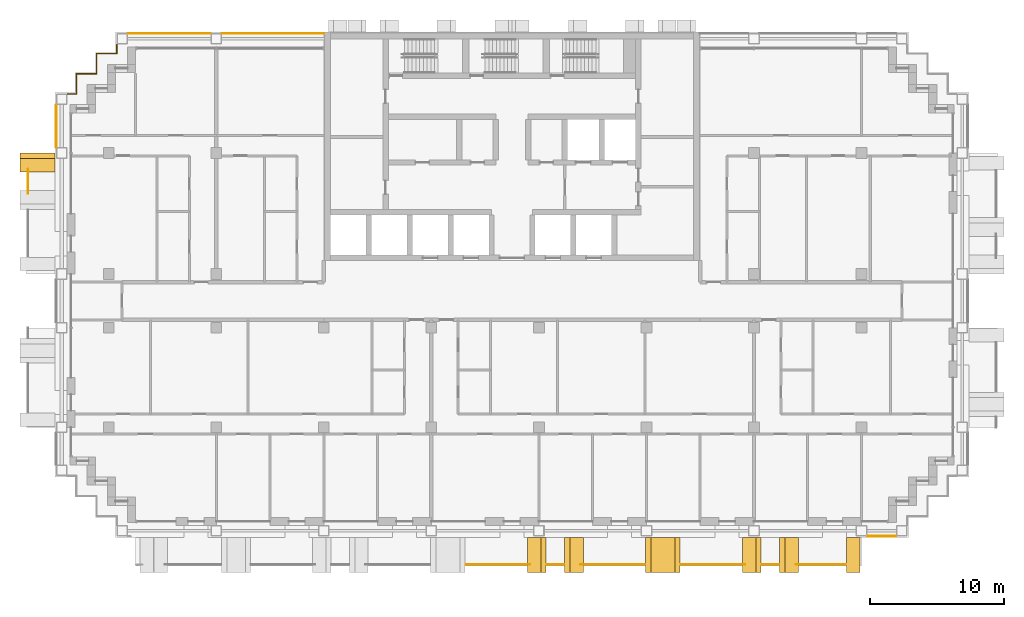
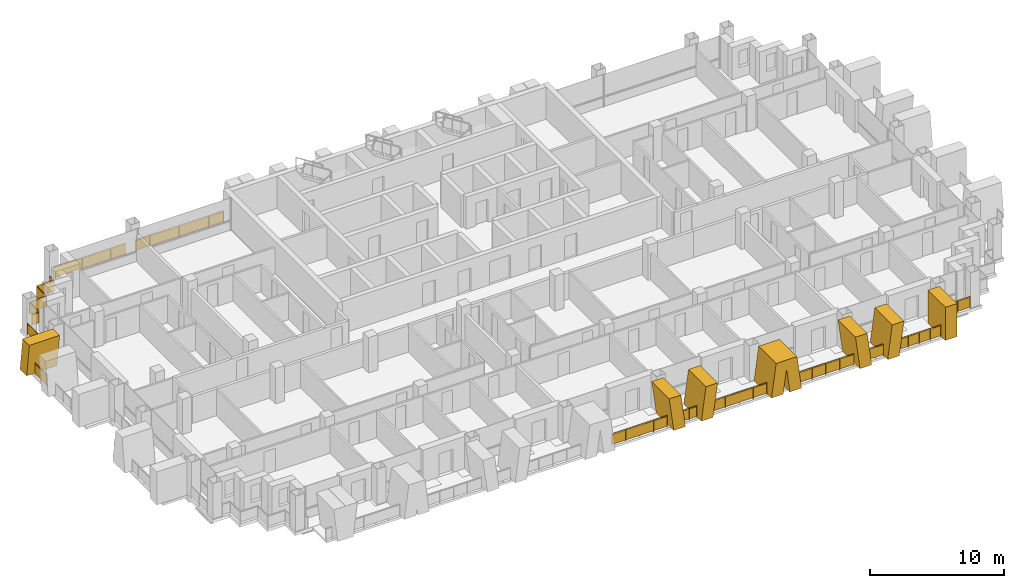
# One storey, part 14 of 16: 12 railings, 7 shading devices.
"""IFC4 building model written with IfcOpenShell, lengths in metres."""

import ifcopenshell
import ifcopenshell.guid

model = None  # the IFC model being written
_history = None  # IfcOwnerHistory: only IFC2X3 demands one
_inside = {}  # id of a spatial element -> (the spatial element, [elements in it])
_under = {}  # id of a project, library or spatial element -> (it, [spatial elements below it])
_declared = {}  # id of a project -> (the project, [libraries it declares])
_typed = {}  # id of a type object -> (the type object, [elements of that type])
_made_of = {}  # id of a material, layer set ... -> (it, [elements and type objects made of it])


def new_model(schema):
    """Start an empty IFC model of exactly this schema.

    Asked for "IFC4X3", IfcOpenShell would pick the latest addendum, in which some entities
    have other attributes; the version numbers below select the first issue.
    IFC2X3 requires an IfcOwnerHistory on every rooted entity: one is made here for all.
    """
    global model, _history
    if schema == "IFC4X3":
        model = ifcopenshell.file(schema_version=(4, 3, 0, 0))
    else:
        model = ifcopenshell.file(schema=schema)
    _inside.clear()
    _under.clear()
    _declared.clear()
    _typed.clear()
    _made_of.clear()
    _history = None
    if model.schema == "IFC2X3":
        org = make("IfcOrganization", Name="unknown")
        user = make(
            "IfcPersonAndOrganization",
            ThePerson=make("IfcPerson", FamilyName="unknown"),
            TheOrganization=org,
        )
        app = make(
            "IfcApplication",
            ApplicationDeveloper=org,
            Version="unknown",
            ApplicationFullName="unknown",
            ApplicationIdentifier="unknown",
        )
        _history = make(
            "IfcOwnerHistory",
            OwningUser=user,
            OwningApplication=app,
            ChangeAction="ADDED",
            CreationDate=0,
        )
    return model


def make(cls, **values):
    """One entity of the class cls with the attributes given. An attribute that is None is left unset."""
    return model.create_entity(
        cls, **{name: value for name, value in values.items() if value is not None}
    )


def rooted(cls, **values):
    """An entity with a GlobalId (a new one), such as an element, a storey or a relation."""
    return make(cls, GlobalId=ifcopenshell.guid.new(), OwnerHistory=_history, **values)


def si_unit(unit_type, name, prefix=None):
    """IfcSIUnit, for example si_unit("LENGTHUNIT", "METRE", prefix="MILLI")."""
    return make("IfcSIUnit", UnitType=unit_type, Prefix=prefix, Name=name)


def assignment(units):
    """IfcUnitAssignment: the units of a project."""
    return None if units is None else make("IfcUnitAssignment", Units=units)


def point(xyz):
    """IfcCartesianPoint."""
    return None if xyz is None else make("IfcCartesianPoint", Coordinates=xyz)


def direction(xyz):
    """IfcDirection."""
    return None if xyz is None else make("IfcDirection", DirectionRatios=xyz)


def frame(location, z_axis=None, x_axis=None):
    """IfcAxis2Placement3D, a coordinate frame: its origin and axes. An axis left out is left unset."""
    return make(
        "IfcAxis2Placement3D",
        Location=point(location),
        Axis=direction(z_axis),
        RefDirection=direction(x_axis),
    )


def frame_2d(location, x_axis=None):
    """IfcAxis2Placement2D, a coordinate frame in the plane: its origin and x axis."""
    return make(
        "IfcAxis2Placement2D", Location=point(location), RefDirection=direction(x_axis)
    )


def origin():
    """The frame at (0, 0, 0) with its axes left unset."""
    return frame((0.0, 0.0, 0.0))


def origin_2d():
    """The frame at (0, 0) in the plane with its x axis left unset."""
    return frame_2d((0.0, 0.0))


def place(relative_to, where):
    """IfcLocalPlacement: puts the frame where relative to a parent placement (None: the world)."""
    return make(
        "IfcLocalPlacement", PlacementRelTo=relative_to, RelativePlacement=where
    )


def context(
    kind, dimensions, precision=None, world=None, true_north=None, identifier=None
):
    """IfcGeometricRepresentationContext, for example the 3D "Model" context."""
    return make(
        "IfcGeometricRepresentationContext",
        ContextIdentifier=identifier,
        ContextType=kind,
        CoordinateSpaceDimension=dimensions,
        Precision=precision,
        WorldCoordinateSystem=world,
        TrueNorth=true_north,
    )


def subcontext(parent, identifier, kind, view, scale=None):
    """IfcGeometricRepresentationSubContext, for example "Body" below "Model"."""
    return make(
        "IfcGeometricRepresentationSubContext",
        ContextIdentifier=identifier,
        ContextType=kind,
        ParentContext=parent,
        TargetScale=scale,
        TargetView=view,
    )


def project(units=None, contexts=None):
    """IfcProject with its units and contexts."""
    return rooted(
        "IfcProject",
        Name="project",
        RepresentationContexts=contexts,
        UnitsInContext=assignment(units),
    )


def spatial(cls, under=None, at=None, **own):
    """A site, building, storey or space (cls), placed at a placement, below another one or the project."""
    s = rooted(cls, ObjectPlacement=at, **own)
    if under is not None:
        _under.setdefault(under.id(), (under, []))[1].append(s)
    return s


def polyline(points):
    """IfcPolyline through the points."""
    return make("IfcPolyline", Points=[point(p) for p in points])


def profile(cls, at=None, kind="AREA", **sizes):
    """A parametric profile (cls). Its sizes go by their IFC names, for example OverallWidth=200.0."""
    return make(cls, ProfileType=kind, Position=at, **sizes)


def rectangle(**sizes):
    """IfcRectangleProfileDef."""
    return profile("IfcRectangleProfileDef", **sizes)


def circle(**sizes):
    """IfcCircleProfileDef."""
    return profile("IfcCircleProfileDef", **sizes)


def outline(outer, holes=None, kind="AREA"):
    """IfcArbitraryClosedProfileDef: a profile drawn as a closed curve; with holes, ...WithVoids."""
    if holes is None:
        return make("IfcArbitraryClosedProfileDef", ProfileType=kind, OuterCurve=outer)
    return make(
        "IfcArbitraryProfileDefWithVoids",
        ProfileType=kind,
        OuterCurve=outer,
        InnerCurves=holes,
    )


def extrude(swept, where, along, depth):
    """IfcExtrudedAreaSolid: the profile swept, set in the frame where, extruded along a direction by depth."""
    return make(
        "IfcExtrudedAreaSolid",
        SweptArea=swept,
        Position=where,
        ExtrudedDirection=direction(along),
        Depth=depth,
    )


def shape(context_of_items, identifier, shape_type, items):
    """IfcShapeRepresentation: the items that make up one representation, for example the "Body"."""
    return make(
        "IfcShapeRepresentation",
        ContextOfItems=context_of_items,
        RepresentationIdentifier=identifier,
        RepresentationType=shape_type,
        Items=items,
    )


def material(Name=None, Category=None):
    """IfcMaterial."""
    return make("IfcMaterial", Name=Name, Category=Category)


def layer(
    of_material, thickness, ventilated=None, Name=None, Category=None, Priority=None
):
    """IfcMaterialLayer: one layer of a wall or slab, of a material (None: an air gap)."""
    return make(
        "IfcMaterialLayer",
        Material=of_material,
        LayerThickness=thickness,
        IsVentilated=ventilated,
        Name=Name,
        Category=Category,
        Priority=Priority,
    )


def layer_set(layers, Name=None):
    """IfcMaterialLayerSet."""
    return make("IfcMaterialLayerSet", MaterialLayers=layers, LayerSetName=Name)


def made_of(thing, what):
    """Note that an element or type object is made of a material, layer set ...; save() writes the relation."""
    if what is not None:
        _made_of.setdefault(what.id(), (what, []))[1].append(thing)
    return thing


def type_object(cls, material=None, **own):
    """A type object (cls), such as IfcWallType, which elements share."""
    return made_of(rooted(cls, **own), material)


def element(
    cls,
    number,
    at=None,
    inside=None,
    cuts=None,
    type_object=None,
    material=None,
    context=None,
    identifier="Body",
    shape_type=None,
    held_by="IfcProductDefinitionShape",
    body=None,
    shapes=None,
    **own,
):
    """One element of the class cls, such as IfcWall. Its Tag is "e" and its number.

    at: its placement. inside: the storey or other place that contains it. cuts: it is an
    opening in that element (IfcRelVoidsElement). A single representation is given by context,
    identifier, shape_type and body (its items); several are given by shapes. held_by: the class
    of the entity that holds the representations. save() writes the other relations.
    """
    e = rooted(cls, Tag="e%d" % number, ObjectPlacement=at, **own)
    if body is not None:
        shapes = [shape(context, identifier, shape_type, body)]
    if shapes is not None:
        e.Representation = make(held_by, Representations=shapes)
    if inside is not None:
        _inside.setdefault(inside.id(), (inside, []))[1].append(e)
    if cuts is not None:
        rooted(
            "IfcRelVoidsElement", RelatingBuildingElement=cuts, RelatedOpeningElement=e
        )
    if type_object is not None:
        _typed.setdefault(type_object.id(), (type_object, []))[1].append(e)
    return made_of(e, material)


def aggregate(whole, parts):
    """IfcRelAggregates: a whole, such as a stair, and the parts it consists of."""
    return rooted("IfcRelAggregates", RelatingObject=whole, RelatedObjects=parts)


def save(model, path):
    """Write the relations noted so far, then the file.

    IfcRelAggregates (storeys below a building ...), IfcRelContainedInSpatialStructure (elements
    in a storey), IfcRelDefinesByType, IfcRelAssociatesMaterial and IfcRelDeclares: one each for
    every whole, place, type object, material and project.
    """
    for whole, parts in _under.values():
        aggregate(whole, parts)
    for where, things in _inside.values():
        rooted(
            "IfcRelContainedInSpatialStructure",
            RelatedElements=things,
            RelatingStructure=where,
        )
    for kind, things in _typed.values():
        rooted("IfcRelDefinesByType", RelatedObjects=things, RelatingType=kind)
    for what, things in _made_of.values():
        rooted("IfcRelAssociatesMaterial", RelatedObjects=things, RelatingMaterial=what)
    for by, libraries in _declared.values():
        rooted("IfcRelDeclares", RelatingContext=by, RelatedDefinitions=libraries)
    model.write(path)


model = new_model("IFC4")

# Units and contexts
model_context = context("Model", 3, precision=1e-05, world=origin(), true_north=direction((0.0, 1.0)))
body_context = subcontext(model_context, "Body", "Model", "MODEL_VIEW")
ifc_project = project(units=[si_unit("LENGTHUNIT", "METRE"), si_unit("AREAUNIT", "SQUARE_METRE"), si_unit("VOLUMEUNIT", "CUBIC_METRE"), si_unit("PLANEANGLEUNIT", "RADIAN"), si_unit("MASSUNIT", "GRAM", prefix="KILO")], contexts=[model_context])

# Site, building, storey
site_placement = place(None, origin())
site = spatial("IfcSite", under=ifc_project, at=site_placement, CompositionType="ELEMENT")
building_placement = place(site_placement, origin())
building = spatial("IfcBuilding", under=site, at=building_placement, Name="Vidyagriha Tower", CompositionType="ELEMENT")
storey_placement = place(building_placement, frame((0.0, 0.0, 145.39990234375)))
storey = spatial("IfcBuildingStorey", under=building, at=storey_placement, Name="L38", CompositionType="ELEMENT", Elevation=145.39990234375)

# Railings
ifc_material_1 = material(Name="Steel ASTM A500 Grade C black painted", Category="steel")
railing_type_1 = type_object("IfcRailingType", Name="Balcony guard 1100", PredefinedType="BALUSTRADE", material=ifc_material_1)
railing_1_placement = place(storey_placement, frame((-36.0, 9.796630859375, 0.0)))
element("IfcRailing", 1, at=railing_1_placement, inside=storey, type_object=railing_type_1, Name="Balcony guard L38 R16.1-1", PredefinedType="BALUSTRADE", context=body_context, shape_type="SweptSolid", body=[
    extrude(circle(Radius=0.02490234375, at=origin_2d()), frame((0.0, 0.0, 1.0751953125), z_axis=(0.0, -1.0, 0.0), x_axis=(1.0, 0.0, 0.0)), (0.0, 0.0, 1.0), 1.793212890625),
    extrude(circle(Radius=0.02001953125, at=origin_2d()), origin(), (0.0, 0.0, 1.0), 1.050048828125),
    extrude(circle(Radius=0.02001953125, at=origin_2d()), frame((0.0, -0.896484375, 0.0)), (0.0, 0.0, 1.0), 1.050048828125),
    extrude(circle(Radius=0.02001953125, at=origin_2d()), frame((0.0, -1.793212890625, 0.0)), (0.0, 0.0, 1.0), 1.050048828125),
    extrude(rectangle(XDim=0.010009765625, YDim=0.900146484375, at=origin_2d()), frame((0.0, 0.0, 0.550048828125), z_axis=(0.0, -1.0, 0.0), x_axis=(1.0, 0.0, 0.0)), (0.0, 0.0, 1.0), 1.793212890625),
])
railing_2_placement = place(storey_placement, frame((-3.43505859375, -19.60009765625, 0.0)))
element("IfcRailing", 2, at=railing_2_placement, inside=storey, type_object=railing_type_1, Name="Balcony guard L38 R23.1-6", PredefinedType="BALUSTRADE", context=body_context, shape_type="SweptSolid", body=[
    extrude(circle(Radius=0.02490234375, at=origin_2d()), frame((0.0, 0.0, 1.0751953125), z_axis=(1.0, 0.0, 0.0), x_axis=(0.0, 1.0, 0.0)), (0.0, 0.0, 1.0), 4.773681640625),
    extrude(circle(Radius=0.02001953125, at=origin_2d()), origin(), (0.0, 0.0, 1.0), 1.050048828125),
    extrude(circle(Radius=0.02001953125, at=origin_2d()), frame((1.193359375, 0.0, 0.0)), (0.0, 0.0, 1.0), 1.050048828125),
    extrude(circle(Radius=0.02001953125, at=origin_2d()), frame((2.38671875, 0.0, 0.0)), (0.0, 0.0, 1.0), 1.050048828125),
    extrude(circle(Radius=0.02001953125, at=origin_2d()), frame((3.580322265625, 0.0, 0.0)), (0.0, 0.0, 1.0), 1.050048828125),
    extrude(circle(Radius=0.02001953125, at=origin_2d()), frame((4.773681640625, 0.0, 0.0)), (0.0, 0.0, 1.0), 1.050048828125),
    extrude(rectangle(XDim=0.010009765625, YDim=0.900146484375, at=origin_2d()), frame((0.0, 0.0, 0.550048828125), z_axis=(1.0, 0.0, 0.0), x_axis=(0.0, 1.0, 0.0)), (0.0, 0.0, 1.0), 4.773681640625),
])
railing_3_placement = place(storey_placement, frame((2.590087890625, -19.60009765625, 0.0)))
element("IfcRailing", 3, at=railing_3_placement, inside=storey, type_object=railing_type_1, Name="Balcony guard L38 R23.1-7", PredefinedType="BALUSTRADE", context=body_context, shape_type="SweptSolid", body=[
    extrude(circle(Radius=0.02490234375, at=origin_2d()), frame((0.0, 0.0, 1.0751953125), z_axis=(1.0, 0.0, 0.0), x_axis=(0.0, 1.0, 0.0)), (0.0, 0.0, 1.0), 1.27001953125),
    extrude(circle(Radius=0.02001953125, at=origin_2d()), origin(), (0.0, 0.0, 1.0), 1.050048828125),
    extrude(circle(Radius=0.02001953125, at=origin_2d()), frame((0.635009765625, 0.0, 0.0)), (0.0, 0.0, 1.0), 1.050048828125),
    extrude(circle(Radius=0.02001953125, at=origin_2d()), frame((1.27001953125, 0.0, 0.0)), (0.0, 0.0, 1.0), 1.050048828125),
    extrude(rectangle(XDim=0.010009765625, YDim=0.900146484375, at=origin_2d()), frame((0.0, 0.0, 0.550048828125), z_axis=(1.0, 0.0, 0.0), x_axis=(0.0, 1.0, 0.0)), (0.0, 0.0, 1.0), 1.27001953125),
])
for number, where, name in (
    (4, (5.111328125, -19.60009765625, 0.0), "Balcony guard L38 R23.1-8"),
    (5, (12.56494140625, -19.60009765625, 0.0), "Balcony guard L38 R23.1-9"),
):
    element("IfcRailing", number, at=place(storey_placement, frame(where)), inside=storey, type_object=railing_type_1, Name=name, PredefinedType="BALUSTRADE", context=body_context, shape_type="SweptSolid", body=[
        extrude(circle(Radius=0.02490234375, at=origin_2d()), frame((0.0, 0.0, 1.0751953125), z_axis=(1.0, 0.0, 0.0), x_axis=(0.0, 1.0, 0.0)), (0.0, 0.0, 1.0), 4.773681640625),
        extrude(circle(Radius=0.02001953125, at=origin_2d()), origin(), (0.0, 0.0, 1.0), 1.050048828125),
        extrude(circle(Radius=0.02001953125, at=origin_2d()), frame((1.193359375, 0.0, 0.0)), (0.0, 0.0, 1.0), 1.050048828125),
        extrude(circle(Radius=0.02001953125, at=origin_2d()), frame((2.38671875, 0.0, 0.0)), (0.0, 0.0, 1.0), 1.050048828125),
        extrude(circle(Radius=0.02001953125, at=origin_2d()), frame((3.580322265625, 0.0, 0.0)), (0.0, 0.0, 1.0), 1.050048828125),
        extrude(circle(Radius=0.02001953125, at=origin_2d()), frame((4.773681640625, 0.0, 0.0)), (0.0, 0.0, 1.0), 1.050048828125),
        extrude(rectangle(XDim=0.010009765625, YDim=0.900146484375, at=origin_2d()), frame((0.0, 0.0, 0.550048828125), z_axis=(1.0, 0.0, 0.0), x_axis=(0.0, 1.0, 0.0)), (0.0, 0.0, 1.0), 4.773681640625),
    ])
railing_4_placement = place(storey_placement, frame((18.590087890625, -19.60009765625, 0.0)))
element("IfcRailing", 6, at=railing_4_placement, inside=storey, type_object=railing_type_1, Name="Balcony guard L38 R23.1-10", PredefinedType="BALUSTRADE", context=body_context, shape_type="SweptSolid", body=[
    extrude(circle(Radius=0.02490234375, at=origin_2d()), frame((0.0, 0.0, 1.0751953125), z_axis=(1.0, 0.0, 0.0), x_axis=(0.0, 1.0, 0.0)), (0.0, 0.0, 1.0), 1.27001953125),
    extrude(circle(Radius=0.02001953125, at=origin_2d()), origin(), (0.0, 0.0, 1.0), 1.050048828125),
    extrude(circle(Radius=0.02001953125, at=origin_2d()), frame((0.635009765625, 0.0, 0.0)), (0.0, 0.0, 1.0), 1.050048828125),
    extrude(circle(Radius=0.02001953125, at=origin_2d()), frame((1.27001953125, 0.0, 0.0)), (0.0, 0.0, 1.0), 1.050048828125),
    extrude(rectangle(XDim=0.010009765625, YDim=0.900146484375, at=origin_2d()), frame((0.0, 0.0, 0.550048828125), z_axis=(1.0, 0.0, 0.0), x_axis=(0.0, 1.0, 0.0)), (0.0, 0.0, 1.0), 1.27001953125),
])
railing_5_placement = place(storey_placement, frame((21.111328125, -19.60009765625, 0.0)))
element("IfcRailing", 7, at=railing_5_placement, inside=storey, type_object=railing_type_1, Name="Balcony guard L38 R23.1-11", PredefinedType="BALUSTRADE", context=body_context, shape_type="SweptSolid", body=[
    extrude(circle(Radius=0.02490234375, at=origin_2d()), frame((0.0, 0.0, 1.0751953125), z_axis=(1.0, 0.0, 0.0), x_axis=(0.0, 1.0, 0.0)), (0.0, 0.0, 1.0), 3.713623046875),
    extrude(circle(Radius=0.02001953125, at=origin_2d()), origin(), (0.0, 0.0, 1.0), 1.050048828125),
    extrude(circle(Radius=0.02001953125, at=origin_2d()), frame((0.928466796875, 0.0, 0.0)), (0.0, 0.0, 1.0), 1.050048828125),
    extrude(circle(Radius=0.02001953125, at=origin_2d()), frame((1.85693359375, 0.0, 0.0)), (0.0, 0.0, 1.0), 1.050048828125),
    extrude(circle(Radius=0.02001953125, at=origin_2d()), frame((2.78515625, 0.0, 0.0)), (0.0, 0.0, 1.0), 1.050048828125),
    extrude(circle(Radius=0.02001953125, at=origin_2d()), frame((3.713623046875, 0.0, 0.0)), (0.0, 0.0, 1.0), 1.050048828125),
    extrude(rectangle(XDim=0.010009765625, YDim=0.900146484375, at=origin_2d()), frame((0.0, 0.0, 0.550048828125), z_axis=(1.0, 0.0, 0.0), x_axis=(0.0, 1.0, 0.0)), (0.0, 0.0, 1.0), 3.713623046875),
])

# Shading devices
ifc_material_2 = material(Name="Precast concrete C40/50 with buff brick facing", Category="concrete")
ifc_layer_1 = layer(ifc_material_2, 1.0)
ifc_layer_set_1 = layer_set([ifc_layer_1], Name="Precast concrete C40/50 with buff brick facing")
shading_device_type_1 = type_object("IfcShadingDeviceType", Name="Brick-faced blade fin arm leaning 8 degrees", PredefinedType="USERDEFINED", material=ifc_layer_set_1)
shading_device_1_placement = place(storey_placement, frame((-35.300048828125, 11.0, 0.0), z_axis=(0.0, 0.0, 1.0), x_axis=(0.0, -1.0, 0.0)))
element("IfcShadingDevice", 8, at=shading_device_1_placement, inside=storey, type_object=shading_device_type_1, Name="Leaning blade fin L38 R16.300b", ObjectType="BLADE FIN", PredefinedType="USERDEFINED", context=body_context, shape_type="SweptSolid", body=[
    extrude(outline(polyline([(0.0, 0.0), (1.0, 0.0), (1.39990234375, 3.0), (0.39990234375, 3.0), (0.0, 0.0)])), frame((0.0, 1.300048828125, 0.0), z_axis=(0.0, -1.0, 0.0), x_axis=(1.0, 0.0, 0.0)), (0.0, 0.0, 1.0), 2.60009765625),
])
shading_device_2_placement = place(storey_placement, frame((3.909912109375, -18.89990234375, 0.0)))
element("IfcShadingDevice", 9, at=shading_device_2_placement, inside=storey, type_object=shading_device_type_1, Name="Leaning blade fin L38 R23.3000a", ObjectType="BLADE FIN", PredefinedType="USERDEFINED", context=body_context, shape_type="SweptSolid", body=[
    extrude(outline(polyline([(0.0, 0.0), (1.0, 0.0), (1.39501953125, 3.0), (0.39501953125, 3.0), (0.0, 0.0)])), frame((0.0, 1.300048828125, 0.0), z_axis=(0.0, -1.0, 0.0), x_axis=(1.0, 0.0, 0.0)), (0.0, 0.0, 1.0), 2.60009765625),
])
shading_device_3_placement = place(storey_placement, frame((1.14501953125, -18.89990234375, 0.0)))
element("IfcShadingDevice", 10, at=shading_device_3_placement, inside=storey, type_object=shading_device_type_1, Name="Leaning blade fin L38 R23.3000b", ObjectType="BLADE FIN", PredefinedType="USERDEFINED", context=body_context, shape_type="SweptSolid", body=[
    extrude(outline(polyline([(0.39501953125, 0.0), (1.39501953125, 0.0), (1.0, 3.0), (0.0, 3.0), (0.39501953125, 0.0)])), frame((0.0, 1.300048828125, 0.0), z_axis=(0.0, -1.0, 0.0), x_axis=(1.0, 0.0, 0.0)), (0.0, 0.0, 1.0), 2.60009765625),
])
shading_device_4_placement = place(storey_placement, frame((19.909912109375, -18.89990234375, 0.0)))
element("IfcShadingDevice", 11, at=shading_device_4_placement, inside=storey, type_object=shading_device_type_1, Name="Leaning blade fin L38 R23.4600a", ObjectType="BLADE FIN", PredefinedType="USERDEFINED", context=body_context, shape_type="SweptSolid", body=[
    extrude(outline(polyline([(0.0, 0.0), (1.0, 0.0), (1.39501953125, 3.0), (0.39501953125, 3.0), (0.0, 0.0)])), frame((0.0, 1.300048828125, 0.0), z_axis=(0.0, -1.0, 0.0), x_axis=(1.0, 0.0, 0.0)), (0.0, 0.0, 1.0), 2.60009765625),
])
shading_device_5_placement = place(storey_placement, frame((17.14501953125, -18.89990234375, 0.0)))
element("IfcShadingDevice", 12, at=shading_device_5_placement, inside=storey, type_object=shading_device_type_1, Name="Leaning blade fin L38 R23.4600b", ObjectType="BLADE FIN", PredefinedType="USERDEFINED", context=body_context, shape_type="SweptSolid", body=[
    extrude(outline(polyline([(0.39501953125, 0.0), (1.39501953125, 0.0), (1.0, 3.0), (0.0, 3.0), (0.39501953125, 0.0)])), frame((0.0, 1.300048828125, 0.0), z_axis=(0.0, -1.0, 0.0), x_axis=(1.0, 0.0, 0.0)), (0.0, 0.0, 1.0), 2.60009765625),
])
ifc_material_3 = material(Name="Precast concrete C40/50 with buff brick facing", Category="concrete")
ifc_layer_2 = layer(ifc_material_3, 1.0)
ifc_layer_set_2 = layer_set([ifc_layer_2], Name="Precast concrete C40/50 with buff brick facing")
shading_device_type_2 = type_object("IfcShadingDeviceType", Name="Brick-faced blade fin forking 8 degrees", PredefinedType="USERDEFINED", material=ifc_layer_set_2)
shading_device_6_placement = place(storey_placement, frame((9.93505859375, -18.89990234375, 0.0)))
element("IfcShadingDevice", 13, at=shading_device_6_placement, inside=storey, type_object=shading_device_type_2, Name="Forked blade fin L38 R23.3800a", ObjectType="BLADE FIN", PredefinedType="USERDEFINED", context=body_context, shape_type="SweptSolid", body=[
    extrude(outline(polyline([(1.0, 0.0), (1.2900390625, 2.20263671875), (1.580078125, 0.0), (2.580078125, 0.0), (2.18505859375, 3.0), (0.39501953125, 3.0), (0.0, 0.0), (1.0, 0.0)])), frame((0.0, 1.300048828125, 0.0), z_axis=(0.0, -1.0, 0.0), x_axis=(1.0, 0.0, 0.0)), (0.0, 0.0, 1.0), 2.60009765625),
])
ifc_material_4 = material(Name="Precast concrete C40/50 with buff brick facing", Category="concrete")
ifc_layer_3 = layer(ifc_material_4, 1.0)
ifc_layer_set_3 = layer_set([ifc_layer_3], Name="Precast concrete C40/50 with buff brick facing")
shading_device_type_3 = type_object("IfcShadingDeviceType", Name="Brick-faced blade fin stem 1000", PredefinedType="USERDEFINED", material=ifc_layer_set_3)
shading_device_7_placement = place(storey_placement, frame((24.875, -18.89990234375, 0.0)))
element("IfcShadingDevice", 14, at=shading_device_7_placement, inside=storey, type_object=shading_device_type_3, Name="Stem blade fin L38 R23.5400a", ObjectType="BLADE FIN", PredefinedType="USERDEFINED", context=body_context, shape_type="SweptSolid", body=[
    extrude(outline(polyline([(0.0, 0.0), (1.0, 0.0), (1.0, 3.0), (0.0, 3.0), (0.0, 0.0)])), frame((0.0, 1.300048828125, 0.0), z_axis=(0.0, -1.0, 0.0), x_axis=(1.0, 0.0, 0.0)), (0.0, 0.0, 1.0), 2.60009765625),
])

# Railings
ifc_material_5 = material(Name="Steel ASTM A500 Grade C black painted", Category="steel")
railing_type_2 = type_object("IfcRailingType", Name="Gallery guard 1100", PredefinedType="GUARDRAIL", material=ifc_material_5)
railing_6_placement = place(storey_placement, frame((-33.89990234375, 11.429931640625, 0.0)))
element("IfcRailing", 15, at=railing_6_placement, inside=storey, type_object=railing_type_2, Name="Gallery guard L38 3", PredefinedType="GUARDRAIL", context=body_context, shape_type="SweptSolid", body=[
    extrude(circle(Radius=0.02490234375, at=origin_2d()), frame((0.0, 0.0, 1.0751953125), z_axis=(0.0, 1.0, 0.0), x_axis=(-1.0, 0.0, 0.0)), (0.0, 0.0, 1.0), 3.14013671875),
    extrude(circle(Radius=0.02001953125, at=origin_2d()), origin(), (0.0, 0.0, 1.0), 1.050048828125),
    extrude(circle(Radius=0.02001953125, at=origin_2d()), frame((0.0, 1.046630859375, 0.0)), (0.0, 0.0, 1.0), 1.050048828125),
    extrude(circle(Radius=0.02001953125, at=origin_2d()), frame((0.0, 2.093505859375, 0.0)), (0.0, 0.0, 1.0), 1.050048828125),
    extrude(circle(Radius=0.02001953125, at=origin_2d()), frame((0.0, 3.14013671875, 0.0)), (0.0, 0.0, 1.0), 1.050048828125),
    extrude(rectangle(XDim=0.010009765625, YDim=0.900146484375, at=origin_2d()), frame((0.0, 0.0, 0.550048828125), z_axis=(0.0, 1.0, 0.0), x_axis=(-1.0, 0.0, 0.0)), (0.0, 0.0, 1.0), 3.14013671875),
])
railing_7_placement = place(storey_placement, frame((-33.070068359375, 15.39990234375, 0.0)))
element("IfcRailing", 16, at=railing_7_placement, inside=storey, type_object=railing_type_2, Name="Gallery guard L38 5", PredefinedType="GUARDRAIL", context=body_context, shape_type="SweptSolid", body=[
    extrude(circle(Radius=0.02490234375, at=origin_2d()), frame((0.0, 0.0, 1.0751953125), z_axis=(1.0, 0.0, 0.0), x_axis=(0.0, 1.0, 0.0)), (0.0, 0.0, 1.0), 0.670166015625),
    extrude(circle(Radius=0.02490234375, at=origin_2d()), frame((0.670166015625, 0.0, 1.0751953125), z_axis=(0.0, 1.0, 0.0), x_axis=(-1.0, 0.0, 0.0)), (0.0, 0.0, 1.0), 1.5),
    extrude(circle(Radius=0.02490234375, at=origin_2d()), frame((0.670166015625, 1.5, 1.0751953125), z_axis=(1.0, 0.0, 0.0), x_axis=(0.0, 1.0, 0.0)), (0.0, 0.0, 1.0), 1.5),
    extrude(circle(Radius=0.02490234375, at=origin_2d()), frame((2.170166015625, 1.5, 1.0751953125), z_axis=(0.0, 1.0, 0.0), x_axis=(-1.0, 0.0, 0.0)), (0.0, 0.0, 1.0), 1.5),
    extrude(circle(Radius=0.02490234375, at=origin_2d()), frame((2.170166015625, 3.0, 1.0751953125), z_axis=(1.0, 0.0, 0.0), x_axis=(0.0, 1.0, 0.0)), (0.0, 0.0, 1.0), 1.5),
    extrude(circle(Radius=0.02490234375, at=origin_2d()), frame((3.670166015625, 3.0, 1.0751953125), z_axis=(0.0, 1.0, 0.0), x_axis=(-1.0, 0.0, 0.0)), (0.0, 0.0, 1.0), 0.670166015625),
    extrude(circle(Radius=0.02001953125, at=origin_2d()), origin(), (0.0, 0.0, 1.0), 1.050048828125),
    extrude(circle(Radius=0.02001953125, at=origin_2d()), frame((0.670166015625, 0.0, 0.0)), (0.0, 0.0, 1.0), 1.050048828125),
    extrude(circle(Radius=0.02001953125, at=origin_2d()), frame((0.670166015625, 1.5, 0.0)), (0.0, 0.0, 1.0), 1.050048828125),
    extrude(circle(Radius=0.02001953125, at=origin_2d()), frame((2.170166015625, 1.5, 0.0)), (0.0, 0.0, 1.0), 1.050048828125),
    extrude(circle(Radius=0.02001953125, at=origin_2d()), frame((2.170166015625, 3.0, 0.0)), (0.0, 0.0, 1.0), 1.050048828125),
    extrude(circle(Radius=0.02001953125, at=origin_2d()), frame((3.670166015625, 3.0, 0.0)), (0.0, 0.0, 1.0), 1.050048828125),
    extrude(circle(Radius=0.02001953125, at=origin_2d()), frame((3.670166015625, 3.670166015625, 0.0)), (0.0, 0.0, 1.0), 1.050048828125),
    extrude(rectangle(XDim=0.010009765625, YDim=0.900146484375, at=origin_2d()), frame((0.0, 0.0, 0.550048828125), z_axis=(1.0, 0.0, 0.0), x_axis=(0.0, 1.0, 0.0)), (0.0, 0.0, 1.0), 0.670166015625),
    extrude(rectangle(XDim=0.010009765625, YDim=0.900146484375, at=origin_2d()), frame((0.670166015625, 0.0, 0.550048828125), z_axis=(0.0, 1.0, 0.0), x_axis=(-1.0, 0.0, 0.0)), (0.0, 0.0, 1.0), 1.5),
    extrude(rectangle(XDim=0.010009765625, YDim=0.900146484375, at=origin_2d()), frame((0.670166015625, 1.5, 0.550048828125), z_axis=(1.0, 0.0, 0.0), x_axis=(0.0, 1.0, 0.0)), (0.0, 0.0, 1.0), 1.5),
    extrude(rectangle(XDim=0.010009765625, YDim=0.900146484375, at=origin_2d()), frame((2.170166015625, 1.5, 0.550048828125), z_axis=(0.0, 1.0, 0.0), x_axis=(-1.0, 0.0, 0.0)), (0.0, 0.0, 1.0), 1.5),
    extrude(rectangle(XDim=0.010009765625, YDim=0.900146484375, at=origin_2d()), frame((2.170166015625, 3.0, 0.550048828125), z_axis=(1.0, 0.0, 0.0), x_axis=(0.0, 1.0, 0.0)), (0.0, 0.0, 1.0), 1.5),
    extrude(rectangle(XDim=0.010009765625, YDim=0.900146484375, at=origin_2d()), frame((3.670166015625, 3.0, 0.550048828125), z_axis=(0.0, 1.0, 0.0), x_axis=(-1.0, 0.0, 0.0)), (0.0, 0.0, 1.0), 0.670166015625),
])
railing_8_placement = place(storey_placement, frame((-28.570068359375, 19.89990234375, 0.0)))
element("IfcRailing", 17, at=railing_8_placement, inside=storey, type_object=railing_type_2, Name="Gallery guard L38 7", PredefinedType="GUARDRAIL", context=body_context, shape_type="SweptSolid", body=[
    extrude(circle(Radius=0.02490234375, at=origin_2d()), frame((0.0, 0.0, 1.0751953125), z_axis=(1.0, 0.0, 0.0), x_axis=(0.0, 1.0, 0.0)), (0.0, 0.0, 1.0), 6.14013671875),
    extrude(circle(Radius=0.02001953125, at=origin_2d()), origin(), (0.0, 0.0, 1.0), 1.050048828125),
    extrude(circle(Radius=0.02001953125, at=origin_2d()), frame((1.22802734375, 0.0, 0.0)), (0.0, 0.0, 1.0), 1.050048828125),
    extrude(circle(Radius=0.02001953125, at=origin_2d()), frame((2.4560546875, 0.0, 0.0)), (0.0, 0.0, 1.0), 1.050048828125),
    extrude(circle(Radius=0.02001953125, at=origin_2d()), frame((3.68408203125, 0.0, 0.0)), (0.0, 0.0, 1.0), 1.050048828125),
    extrude(circle(Radius=0.02001953125, at=origin_2d()), frame((4.912109375, 0.0, 0.0)), (0.0, 0.0, 1.0), 1.050048828125),
    extrude(circle(Radius=0.02001953125, at=origin_2d()), frame((6.14013671875, 0.0, 0.0)), (0.0, 0.0, 1.0), 1.050048828125),
    extrude(rectangle(XDim=0.010009765625, YDim=0.900146484375, at=origin_2d()), frame((0.0, 0.0, 0.550048828125), z_axis=(1.0, 0.0, 0.0), x_axis=(0.0, 1.0, 0.0)), (0.0, 0.0, 1.0), 6.14013671875),
])
railing_9_placement = place(storey_placement, frame((-21.570068359375, 19.89990234375, 0.0)))
element("IfcRailing", 18, at=railing_9_placement, inside=storey, type_object=railing_type_2, Name="Gallery guard L38 8", PredefinedType="GUARDRAIL", context=body_context, shape_type="SweptSolid", body=[
    extrude(circle(Radius=0.02490234375, at=origin_2d()), frame((0.0, 0.0, 1.0751953125), z_axis=(1.0, 0.0, 0.0), x_axis=(0.0, 1.0, 0.0)), (0.0, 0.0, 1.0), 7.590087890625),
    extrude(circle(Radius=0.02001953125, at=origin_2d()), origin(), (0.0, 0.0, 1.0), 1.050048828125),
    extrude(circle(Radius=0.02001953125, at=origin_2d()), frame((1.26513671875, 0.0, 0.0)), (0.0, 0.0, 1.0), 1.050048828125),
    extrude(circle(Radius=0.02001953125, at=origin_2d()), frame((2.530029296875, 0.0, 0.0)), (0.0, 0.0, 1.0), 1.050048828125),
    extrude(circle(Radius=0.02001953125, at=origin_2d()), frame((3.794921875, 0.0, 0.0)), (0.0, 0.0, 1.0), 1.050048828125),
    extrude(circle(Radius=0.02001953125, at=origin_2d()), frame((5.06005859375, 0.0, 0.0)), (0.0, 0.0, 1.0), 1.050048828125),
    extrude(circle(Radius=0.02001953125, at=origin_2d()), frame((6.3251953125, 0.0, 0.0)), (0.0, 0.0, 1.0), 1.050048828125),
    extrude(circle(Radius=0.02001953125, at=origin_2d()), frame((7.590087890625, 0.0, 0.0)), (0.0, 0.0, 1.0), 1.050048828125),
    extrude(rectangle(XDim=0.010009765625, YDim=0.900146484375, at=origin_2d()), frame((0.0, 0.0, 0.550048828125), z_axis=(1.0, 0.0, 0.0), x_axis=(0.0, 1.0, 0.0)), (0.0, 0.0, 1.0), 7.590087890625),
])
railing_10_placement = place(storey_placement, frame((28.570068359375, -17.5, 0.0)))
element("IfcRailing", 19, at=railing_10_placement, inside=storey, type_object=railing_type_2, Name="Gallery guard L38 11", PredefinedType="GUARDRAIL", context=body_context, shape_type="SweptSolid", body=[
    extrude(circle(Radius=0.02490234375, at=origin_2d()), frame((0.0, 0.0, 1.0751953125), z_axis=(-1.0, 0.0, 0.0), x_axis=(0.0, -1.0, 0.0)), (0.0, 0.0, 1.0), 2.14013671875),
    extrude(circle(Radius=0.02001953125, at=origin_2d()), origin(), (0.0, 0.0, 1.0), 1.050048828125),
    extrude(circle(Radius=0.02001953125, at=origin_2d()), frame((-1.070068359375, 0.0, 0.0)), (0.0, 0.0, 1.0), 1.050048828125),
    extrude(circle(Radius=0.02001953125, at=origin_2d()), frame((-2.14013671875, 0.0, 0.0)), (0.0, 0.0, 1.0), 1.050048828125),
    extrude(rectangle(XDim=0.010009765625, YDim=0.900146484375, at=origin_2d()), frame((0.0, 0.0, 0.550048828125), z_axis=(-1.0, 0.0, 0.0), x_axis=(0.0, -1.0, 0.0)), (0.0, 0.0, 1.0), 2.14013671875),
])

save(model, "model.ifc")
